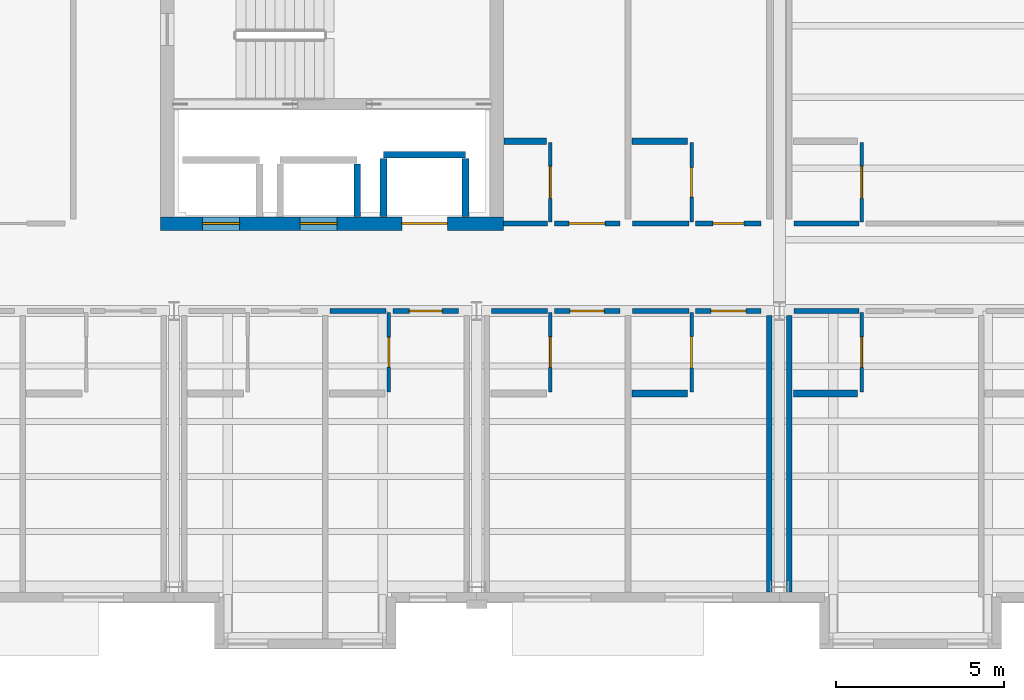
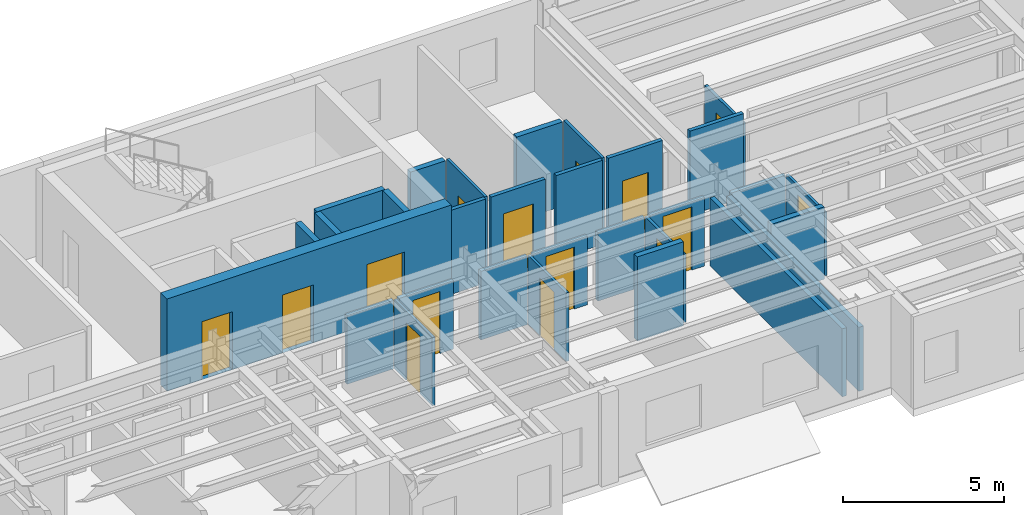
# One storey, part 10 of 19: 30 walls, 15 doors, 15 openings.
"""IFC4 building model written with IfcOpenShell, lengths in metres."""

import ifcopenshell
import ifcopenshell.guid

model = None  # the IFC model being written
_history = None  # IfcOwnerHistory: only IFC2X3 demands one
_inside = {}  # id of a spatial element -> (the spatial element, [elements in it])
_under = {}  # id of a project, library or spatial element -> (it, [spatial elements below it])
_declared = {}  # id of a project -> (the project, [libraries it declares])
_typed = {}  # id of a type object -> (the type object, [elements of that type])
_made_of = {}  # id of a material, layer set ... -> (it, [elements and type objects made of it])


def new_model(schema):
    """Start an empty IFC model of exactly this schema.

    Asked for "IFC4X3", IfcOpenShell would pick the latest addendum, in which some entities
    have other attributes; the version numbers below select the first issue.
    IFC2X3 requires an IfcOwnerHistory on every rooted entity: one is made here for all.
    """
    global model, _history
    if schema == "IFC4X3":
        model = ifcopenshell.file(schema_version=(4, 3, 0, 0))
    else:
        model = ifcopenshell.file(schema=schema)
    _inside.clear()
    _under.clear()
    _declared.clear()
    _typed.clear()
    _made_of.clear()
    _history = None
    if model.schema == "IFC2X3":
        org = make("IfcOrganization", Name="unknown")
        user = make(
            "IfcPersonAndOrganization",
            ThePerson=make("IfcPerson", FamilyName="unknown"),
            TheOrganization=org,
        )
        app = make(
            "IfcApplication",
            ApplicationDeveloper=org,
            Version="unknown",
            ApplicationFullName="unknown",
            ApplicationIdentifier="unknown",
        )
        _history = make(
            "IfcOwnerHistory",
            OwningUser=user,
            OwningApplication=app,
            ChangeAction="ADDED",
            CreationDate=0,
        )
    return model


def make(cls, **values):
    """One entity of the class cls with the attributes given. An attribute that is None is left unset."""
    return model.create_entity(
        cls, **{name: value for name, value in values.items() if value is not None}
    )


def rooted(cls, **values):
    """An entity with a GlobalId (a new one), such as an element, a storey or a relation."""
    return make(cls, GlobalId=ifcopenshell.guid.new(), OwnerHistory=_history, **values)


def si_unit(unit_type, name, prefix=None):
    """IfcSIUnit, for example si_unit("LENGTHUNIT", "METRE", prefix="MILLI")."""
    return make("IfcSIUnit", UnitType=unit_type, Prefix=prefix, Name=name)


def assignment(units):
    """IfcUnitAssignment: the units of a project."""
    return None if units is None else make("IfcUnitAssignment", Units=units)


def point(xyz):
    """IfcCartesianPoint."""
    return None if xyz is None else make("IfcCartesianPoint", Coordinates=xyz)


def direction(xyz):
    """IfcDirection."""
    return None if xyz is None else make("IfcDirection", DirectionRatios=xyz)


def frame(location, z_axis=None, x_axis=None):
    """IfcAxis2Placement3D, a coordinate frame: its origin and axes. An axis left out is left unset."""
    return make(
        "IfcAxis2Placement3D",
        Location=point(location),
        Axis=direction(z_axis),
        RefDirection=direction(x_axis),
    )


def frame_2d(location, x_axis=None):
    """IfcAxis2Placement2D, a coordinate frame in the plane: its origin and x axis."""
    return make(
        "IfcAxis2Placement2D", Location=point(location), RefDirection=direction(x_axis)
    )


def origin():
    """The frame at (0, 0, 0) with its axes left unset."""
    return frame((0.0, 0.0, 0.0))


def place(relative_to, where):
    """IfcLocalPlacement: puts the frame where relative to a parent placement (None: the world)."""
    return make(
        "IfcLocalPlacement", PlacementRelTo=relative_to, RelativePlacement=where
    )


def context(
    kind, dimensions, precision=None, world=None, true_north=None, identifier=None
):
    """IfcGeometricRepresentationContext, for example the 3D "Model" context."""
    return make(
        "IfcGeometricRepresentationContext",
        ContextIdentifier=identifier,
        ContextType=kind,
        CoordinateSpaceDimension=dimensions,
        Precision=precision,
        WorldCoordinateSystem=world,
        TrueNorth=true_north,
    )


def subcontext(parent, identifier, kind, view, scale=None):
    """IfcGeometricRepresentationSubContext, for example "Body" below "Model"."""
    return make(
        "IfcGeometricRepresentationSubContext",
        ContextIdentifier=identifier,
        ContextType=kind,
        ParentContext=parent,
        TargetScale=scale,
        TargetView=view,
    )


def project(units=None, contexts=None):
    """IfcProject with its units and contexts."""
    return rooted(
        "IfcProject",
        Name="project",
        RepresentationContexts=contexts,
        UnitsInContext=assignment(units),
    )


def spatial(cls, under=None, at=None, **own):
    """A site, building, storey or space (cls), placed at a placement, below another one or the project."""
    s = rooted(cls, ObjectPlacement=at, **own)
    if under is not None:
        _under.setdefault(under.id(), (under, []))[1].append(s)
    return s


def profile(cls, at=None, kind="AREA", **sizes):
    """A parametric profile (cls). Its sizes go by their IFC names, for example OverallWidth=200.0."""
    return make(cls, ProfileType=kind, Position=at, **sizes)


def rectangle(**sizes):
    """IfcRectangleProfileDef."""
    return profile("IfcRectangleProfileDef", **sizes)


def extrude(swept, where, along, depth):
    """IfcExtrudedAreaSolid: the profile swept, set in the frame where, extruded along a direction by depth."""
    return make(
        "IfcExtrudedAreaSolid",
        SweptArea=swept,
        Position=where,
        ExtrudedDirection=direction(along),
        Depth=depth,
    )


def shape(context_of_items, identifier, shape_type, items):
    """IfcShapeRepresentation: the items that make up one representation, for example the "Body"."""
    return make(
        "IfcShapeRepresentation",
        ContextOfItems=context_of_items,
        RepresentationIdentifier=identifier,
        RepresentationType=shape_type,
        Items=items,
    )


def material(Name=None, Category=None):
    """IfcMaterial."""
    return make("IfcMaterial", Name=Name, Category=Category)


def layer(
    of_material, thickness, ventilated=None, Name=None, Category=None, Priority=None
):
    """IfcMaterialLayer: one layer of a wall or slab, of a material (None: an air gap)."""
    return make(
        "IfcMaterialLayer",
        Material=of_material,
        LayerThickness=thickness,
        IsVentilated=ventilated,
        Name=Name,
        Category=Category,
        Priority=Priority,
    )


def layer_set(layers, Name=None):
    """IfcMaterialLayerSet."""
    return make("IfcMaterialLayerSet", MaterialLayers=layers, LayerSetName=Name)


def made_of(thing, what):
    """Note that an element or type object is made of a material, layer set ...; save() writes the relation."""
    if what is not None:
        _made_of.setdefault(what.id(), (what, []))[1].append(thing)
    return thing


def type_object(cls, material=None, **own):
    """A type object (cls), such as IfcWallType, which elements share."""
    return made_of(rooted(cls, **own), material)


def element(
    cls,
    number,
    at=None,
    inside=None,
    cuts=None,
    type_object=None,
    material=None,
    context=None,
    identifier="Body",
    shape_type=None,
    held_by="IfcProductDefinitionShape",
    body=None,
    shapes=None,
    **own,
):
    """One element of the class cls, such as IfcWall. Its Tag is "e" and its number.

    at: its placement. inside: the storey or other place that contains it. cuts: it is an
    opening in that element (IfcRelVoidsElement). A single representation is given by context,
    identifier, shape_type and body (its items); several are given by shapes. held_by: the class
    of the entity that holds the representations. save() writes the other relations.
    """
    e = rooted(cls, Tag="e%d" % number, ObjectPlacement=at, **own)
    if body is not None:
        shapes = [shape(context, identifier, shape_type, body)]
    if shapes is not None:
        e.Representation = make(held_by, Representations=shapes)
    if inside is not None:
        _inside.setdefault(inside.id(), (inside, []))[1].append(e)
    if cuts is not None:
        rooted(
            "IfcRelVoidsElement", RelatingBuildingElement=cuts, RelatedOpeningElement=e
        )
    if type_object is not None:
        _typed.setdefault(type_object.id(), (type_object, []))[1].append(e)
    return made_of(e, material)


def fill(opening, filler):
    """IfcRelFillsElement: the door or window that sits in an opening."""
    return rooted(
        "IfcRelFillsElement",
        RelatingOpeningElement=opening,
        RelatedBuildingElement=filler,
    )


def aggregate(whole, parts):
    """IfcRelAggregates: a whole, such as a stair, and the parts it consists of."""
    return rooted("IfcRelAggregates", RelatingObject=whole, RelatedObjects=parts)


def save(model, path):
    """Write the relations noted so far, then the file.

    IfcRelAggregates (storeys below a building ...), IfcRelContainedInSpatialStructure (elements
    in a storey), IfcRelDefinesByType, IfcRelAssociatesMaterial and IfcRelDeclares: one each for
    every whole, place, type object, material and project.
    """
    for whole, parts in _under.values():
        aggregate(whole, parts)
    for where, things in _inside.values():
        rooted(
            "IfcRelContainedInSpatialStructure",
            RelatedElements=things,
            RelatingStructure=where,
        )
    for kind, things in _typed.values():
        rooted("IfcRelDefinesByType", RelatedObjects=things, RelatingType=kind)
    for what, things in _made_of.values():
        rooted("IfcRelAssociatesMaterial", RelatedObjects=things, RelatingMaterial=what)
    for by, libraries in _declared.values():
        rooted("IfcRelDeclares", RelatingContext=by, RelatedDefinitions=libraries)
    model.write(path)


model = new_model("IFC4")

# Units and contexts
model_context = context("Model", 3, precision=1e-05, world=origin(), true_north=direction((0.0, 1.0)))
body_context = subcontext(model_context, "Body", "Model", "MODEL_VIEW")
ifc_project = project(units=[si_unit("LENGTHUNIT", "METRE"), si_unit("AREAUNIT", "SQUARE_METRE"), si_unit("VOLUMEUNIT", "CUBIC_METRE"), si_unit("PLANEANGLEUNIT", "RADIAN"), si_unit("MASSUNIT", "GRAM", prefix="KILO")], contexts=[model_context])

# Site, building, storey
site_placement = place(None, origin())
site = spatial("IfcSite", under=ifc_project, at=site_placement, CompositionType="ELEMENT")
building_placement = place(site_placement, origin())
building = spatial("IfcBuilding", under=site, at=building_placement, Name="Sollismere Congress Hotel", CompositionType="ELEMENT")
storey_placement = place(building_placement, frame((0.0, 0.0, 34.10009765625)))
storey = spatial("IfcBuildingStorey", under=building, at=storey_placement, Name="L08", CompositionType="ELEMENT", Elevation=34.10009765625)

# Walls
ifc_material_1 = material(Name="Moisture-Resistant Shaft Gypsum Assembly")
ifc_layer_1 = layer(ifc_material_1, 0.199951171875, Name="Moisture-Resistant Shaft Gypsum Assembly")
ifc_layer_set_1 = layer_set([ifc_layer_1], Name="Moisture-Resistant Shaft Gypsum Assembly")
wall_type_1 = type_object("IfcWallType", Name="WL-PLM200", PredefinedType="PLUMBINGWALL", material=ifc_layer_set_1)
wall_1_placement = place(storey_placement, frame((99.445068359375, 11.011962890625, 0.0), z_axis=(0.0, 0.0, 1.0), x_axis=(0.0, 1.0, 0.0)))
element("IfcWall", 1, at=wall_1_placement, inside=storey, type_object=wall_type_1, Name="Interior wall IW-L08-0335", PredefinedType="PLUMBINGWALL", context=body_context, shape_type="SweptSolid", body=[
    extrude(rectangle(XDim=1.56591796875, YDim=0.199951171875, at=frame_2d((0.782958984375, 0.0))), origin(), (0.0, 0.0, 1.0), 3.18994140625),
])
wall_2_placement = place(storey_placement, frame((100.22998046875, 12.844970703125, 0.0), z_axis=(0.0, 0.0, 1.0), x_axis=(1.0, 0.0, 0.0)))
element("IfcWall", 2, at=wall_2_placement, inside=storey, type_object=wall_type_1, Name="Interior wall IW-L08-0336", PredefinedType="PLUMBINGWALL", context=body_context, shape_type="SweptSolid", body=[
    extrude(rectangle(XDim=2.43994140625, YDim=0.199951171875, at=frame_2d((1.219970703125, 0.0))), origin(), (0.0, 0.0, 1.0), 3.18994140625),
])
for number, where, z_axis, x_axis, name in (
    (3, (100.22998046875, 11.011962890625, 0.0), (0.0, 0.0, 1.0), (0.0, 1.0, 0.0), "Interior wall IW-L08-0337"),
    (4, (102.669921875, 11.011962890625, 0.0), (0.0, 0.0, 1.0), (0.0, 1.0, 0.0), "Interior wall IW-L08-0338"),
):
    element("IfcWall", number, at=place(storey_placement, frame(where, z_axis=z_axis, x_axis=x_axis)), inside=storey, type_object=wall_type_1, Name=name, PredefinedType="PLUMBINGWALL", context=body_context, shape_type="SweptSolid", body=[
        extrude(rectangle(XDim=1.720947265625, YDim=0.199951171875, at=frame_2d((0.8603515625, 0.0))), origin(), (0.0, 0.0, 1.0), 3.18994140625),
    ])
wall_3_placement = place(storey_placement, frame((107.6201171875, 5.75, 0.0), z_axis=(0.0, 0.0, 1.0), x_axis=(1.0, 0.0, 0.0)))
element("IfcWall", 5, at=wall_3_placement, inside=storey, type_object=wall_type_1, Name="Interior wall IW-L08-2473", PredefinedType="PLUMBINGWALL", context=body_context, shape_type="SweptSolid", body=[
    extrude(rectangle(XDim=1.64990234375, YDim=0.199951171875, at=frame_2d((0.824951171875, 0.0))), origin(), (0.0, 0.0, 1.0), 3.18994140625),
])
wall_4_placement = place(storey_placement, frame((103.81201171875, 13.25, 0.0), z_axis=(0.0, 0.0, 1.0), x_axis=(1.0, 0.0, 0.0)))
element("IfcWall", 6, at=wall_4_placement, inside=storey, type_object=wall_type_1, Name="Interior wall IW-L08-2478", PredefinedType="PLUMBINGWALL", context=body_context, shape_type="SweptSolid", body=[
    extrude(rectangle(XDim=1.258056640625, YDim=0.199951171875, at=frame_2d((0.62890625, 0.0))), origin(), (0.0, 0.0, 1.0), 3.18994140625),
])
wall_5_placement = place(storey_placement, frame((107.6201171875, 13.25, 0.0), z_axis=(0.0, 0.0, 1.0), x_axis=(1.0, 0.0, 0.0)))
element("IfcWall", 7, at=wall_5_placement, inside=storey, type_object=wall_type_1, Name="Interior wall IW-L08-2483", PredefinedType="PLUMBINGWALL", context=body_context, shape_type="SweptSolid", body=[
    extrude(rectangle(XDim=1.64990234375, YDim=0.199951171875, at=frame_2d((0.824951171875, 0.0))), origin(), (0.0, 0.0, 1.0), 3.18994140625),
])
wall_6_placement = place(storey_placement, frame((112.419921875, 5.75, 0.0), z_axis=(0.0, 0.0, 1.0), x_axis=(1.0, 0.0, 0.0)))
element("IfcWall", 8, at=wall_6_placement, inside=storey, type_object=wall_type_1, Name="Interior wall IW-L08-2489", PredefinedType="PLUMBINGWALL", context=body_context, shape_type="SweptSolid", body=[
    extrude(rectangle(XDim=1.91015625, YDim=0.199951171875, at=frame_2d((0.955078125, 0.0))), origin(), (0.0, 0.0, 1.0), 2.742919921875),
])

# Wall, opening, door
ifc_material_2 = material(Name="Moisture-Resistant Gypsum Partition")
ifc_layer_2 = layer(ifc_material_2, 0.10009765625, Name="Moisture-Resistant Gypsum Partition")
ifc_layer_set_2 = layer_set([ifc_layer_2], Name="Moisture-Resistant Gypsum Partition")
wall_type_2 = type_object("IfcWallType", Name="WL-PRT100", PredefinedType="PARTITIONING", material=ifc_layer_set_2)
wall_7_placement = place(storey_placement, frame((100.389892578125, 5.7900390625, 0.0), z_axis=(0.0, 0.0, 1.0), x_axis=(0.0, 1.0, 0.0)))
wall_7 = element("IfcWall", 9, at=wall_7_placement, inside=storey, type_object=wall_type_2, Name="Interior wall IW-L08-2461", PredefinedType="PARTITIONING", context=body_context, shape_type="SweptSolid", body=[
    extrude(rectangle(XDim=2.369873046875, YDim=0.10009765625, at=frame_2d((1.18505859375, 0.0))), origin(), (0.0, 0.0, 1.0), 2.602783203125),
])
opening_1_placement = place(wall_7_placement, frame((0.7451171875, 0.0, 0.0)))
opening_1 = element("IfcOpeningElement", 10, at=opening_1_placement, cuts=wall_7, Name="Opening D-L08-0869", PredefinedType="OPENING", context=body_context, shape_type="SweptSolid", body=[
    extrude(rectangle(XDim=0.8798828125, YDim=2.179931640625, at=frame_2d((0.43994140625, 1.08984375))), frame((0.0, 0.06005859375, 0.0), z_axis=(0.0, -1.0, 0.0), x_axis=(1.0, 0.0, 0.0)), (0.0, 0.0, 1.0), 0.1201171875),
])
ifc_material_3 = material(Name="Moisture-Sealed Timber Bathroom Door", Category="wood")
door_type_1 = type_object("IfcDoorType", Name="DR-BT05", OperationType="NOTDEFINED", PredefinedType="DOOR", material=ifc_material_3)
door_1_placement = place(opening_1_placement, origin())
door_1 = element("IfcDoor", 11, at=door_1_placement, inside=storey, type_object=door_type_1, Name="En-suite bathroom door D-L08-0869", OperationType="SINGLE_SWING_RIGHT", OverallHeight=2.179931640625, OverallWidth=0.8798828125, PredefinedType="DOOR", context=body_context, shape_type="SweptSolid", body=[
    extrude(rectangle(XDim=0.8798828125, YDim=2.179931640625, at=frame_2d((0.43994140625, 1.08984375))), frame((0.0, 0.02490234375, 0.0), z_axis=(0.0, -1.0, 0.0), x_axis=(1.0, 0.0, 0.0)), (0.0, 0.0, 1.0), 0.050048828125),
])
fill(opening_1, door_1)

wall_8_placement = place(storey_placement, frame((105.18994140625, 5.7900390625, 0.0), z_axis=(0.0, 0.0, 1.0), x_axis=(0.0, 1.0, 0.0)))
wall_8 = element("IfcWall", 12, at=wall_8_placement, inside=storey, type_object=wall_type_2, Name="Interior wall IW-L08-2467", PredefinedType="PARTITIONING", context=body_context, shape_type="SweptSolid", body=[
    extrude(rectangle(XDim=2.369873046875, YDim=0.10009765625, at=frame_2d((1.18505859375, 0.0))), origin(), (0.0, 0.0, 1.0), 2.602783203125),
])
opening_2_placement = place(wall_8_placement, frame((0.73291015625, 0.0, 0.0)))
opening_2 = element("IfcOpeningElement", 13, at=opening_2_placement, cuts=wall_8, Name="Opening D-L08-0871", PredefinedType="OPENING", context=body_context, shape_type="SweptSolid", body=[
    extrude(rectangle(XDim=0.905029296875, YDim=2.179931640625, at=frame_2d((0.45263671875, 1.08984375))), frame((0.0, 0.06005859375, 0.0), z_axis=(0.0, -1.0, 0.0), x_axis=(1.0, 0.0, 0.0)), (0.0, 0.0, 1.0), 0.1201171875),
])
door_type_2 = type_object("IfcDoorType", Name="DR-BT06", OperationType="NOTDEFINED", PredefinedType="DOOR", material=ifc_material_3)
door_2_placement = place(opening_2_placement, origin())
door_2 = element("IfcDoor", 14, at=door_2_placement, inside=storey, type_object=door_type_2, Name="En-suite bathroom door D-L08-0871", OperationType="SINGLE_SWING_RIGHT", OverallHeight=2.179931640625, OverallWidth=0.905029296875, PredefinedType="DOOR", context=body_context, shape_type="SweptSolid", body=[
    extrude(rectangle(XDim=0.905029296875, YDim=2.179931640625, at=frame_2d((0.45263671875, 1.08984375))), frame((0.0, 0.02490234375, 0.0), z_axis=(0.0, -1.0, 0.0), x_axis=(1.0, 0.0, 0.0)), (0.0, 0.0, 1.0), 0.050048828125),
])
fill(opening_2, door_2)

wall_9_placement = place(storey_placement, frame((109.389892578125, 5.7900390625, 0.0), z_axis=(0.0, 0.0, 1.0), x_axis=(0.0, 1.0, 0.0)))
wall_9 = element("IfcWall", 15, at=wall_9_placement, inside=storey, type_object=wall_type_2, Name="Interior wall IW-L08-2472", PredefinedType="PARTITIONING", context=body_context, shape_type="SweptSolid", body=[
    extrude(rectangle(XDim=2.369873046875, YDim=0.10009765625, at=frame_2d((1.18505859375, 0.0))), origin(), (0.0, 0.0, 1.0), 2.602783203125),
])
opening_3_placement = place(wall_9_placement, frame((0.719970703125, 0.0, 0.0)))
opening_3 = element("IfcOpeningElement", 16, at=opening_3_placement, cuts=wall_9, Name="Opening D-L08-0873", PredefinedType="OPENING", context=body_context, shape_type="SweptSolid", body=[
    extrude(rectangle(XDim=0.929931640625, YDim=2.219970703125, at=frame_2d((0.46484375, 1.10986328125))), frame((0.0, 0.06005859375, 0.0), z_axis=(0.0, -1.0, 0.0), x_axis=(1.0, 0.0, 0.0)), (0.0, 0.0, 1.0), 0.1201171875),
])
door_type_3 = type_object("IfcDoorType", Name="DR-BT07", OperationType="NOTDEFINED", PredefinedType="DOOR", material=ifc_material_3)
door_3_placement = place(opening_3_placement, origin())
door_3 = element("IfcDoor", 17, at=door_3_placement, inside=storey, type_object=door_type_3, Name="En-suite bathroom door D-L08-0873", OperationType="SINGLE_SWING_RIGHT", OverallHeight=2.219970703125, OverallWidth=0.929931640625, PredefinedType="DOOR", context=body_context, shape_type="SweptSolid", body=[
    extrude(rectangle(XDim=0.929931640625, YDim=2.219970703125, at=frame_2d((0.46484375, 1.10986328125))), frame((0.0, 0.02490234375, 0.0), z_axis=(0.0, -1.0, 0.0), x_axis=(1.0, 0.0, 0.0)), (0.0, 0.0, 1.0), 0.050048828125),
])
fill(opening_3, door_3)

wall_10_placement = place(storey_placement, frame((105.18994140625, 10.840087890625, 0.0), z_axis=(0.0, 0.0, 1.0), x_axis=(0.0, 1.0, 0.0)))
wall_10 = element("IfcWall", 18, at=wall_10_placement, inside=storey, type_object=wall_type_2, Name="Interior wall IW-L08-2477", PredefinedType="PARTITIONING", context=body_context, shape_type="SweptSolid", body=[
    extrude(rectangle(XDim=2.369873046875, YDim=0.10009765625, at=frame_2d((1.18505859375, 0.0))), origin(), (0.0, 0.0, 1.0), 3.18994140625),
])
opening_4_placement = place(wall_10_placement, frame((0.7080078125, 0.0, 0.0)))
opening_4 = element("IfcOpeningElement", 19, at=opening_4_placement, cuts=wall_10, Name="Opening D-L08-0875", PredefinedType="OPENING", context=body_context, shape_type="SweptSolid", body=[
    extrude(rectangle(XDim=0.955078125, YDim=2.219970703125, at=frame_2d((0.4775390625, 1.10986328125))), frame((0.0, 0.06005859375, 0.0), z_axis=(0.0, -1.0, 0.0), x_axis=(1.0, 0.0, 0.0)), (0.0, 0.0, 1.0), 0.1201171875),
])
door_type_4 = type_object("IfcDoorType", Name="DR-BT08", OperationType="NOTDEFINED", PredefinedType="DOOR", material=ifc_material_3)
door_4_placement = place(opening_4_placement, origin())
door_4 = element("IfcDoor", 20, at=door_4_placement, inside=storey, type_object=door_type_4, Name="En-suite bathroom door D-L08-0875", OperationType="SINGLE_SWING_RIGHT", OverallHeight=2.219970703125, OverallWidth=0.955078125, PredefinedType="DOOR", context=body_context, shape_type="SweptSolid", body=[
    extrude(rectangle(XDim=0.955078125, YDim=2.219970703125, at=frame_2d((0.4775390625, 1.10986328125))), frame((0.0, 0.02490234375, 0.0), z_axis=(0.0, -1.0, 0.0), x_axis=(1.0, 0.0, 0.0)), (0.0, 0.0, 1.0), 0.050048828125),
])
fill(opening_4, door_4)

wall_11_placement = place(storey_placement, frame((109.389892578125, 10.840087890625, 0.0), z_axis=(0.0, 0.0, 1.0), x_axis=(0.0, 1.0, 0.0)))
wall_11 = element("IfcWall", 21, at=wall_11_placement, inside=storey, type_object=wall_type_2, Name="Interior wall IW-L08-2482", PredefinedType="PARTITIONING", context=body_context, shape_type="SweptSolid", body=[
    extrude(rectangle(XDim=2.369873046875, YDim=0.10009765625, at=frame_2d((1.18505859375, 0.0))), origin(), (0.0, 0.0, 1.0), 3.18994140625),
])
opening_5_placement = place(wall_11_placement, frame((0.7451171875, 0.0, 0.0)))
opening_5 = element("IfcOpeningElement", 22, at=opening_5_placement, cuts=wall_11, Name="Opening D-L08-0877", PredefinedType="OPENING", context=body_context, shape_type="SweptSolid", body=[
    extrude(rectangle(XDim=0.8798828125, YDim=2.10009765625, at=frame_2d((0.43994140625, 1.050048828125))), frame((0.0, 0.06005859375, 0.0), z_axis=(0.0, -1.0, 0.0), x_axis=(1.0, 0.0, 0.0)), (0.0, 0.0, 1.0), 0.1201171875),
])
door_type_5 = type_object("IfcDoorType", Name="DR-BT01", OperationType="NOTDEFINED", PredefinedType="DOOR", material=ifc_material_3)
door_5_placement = place(opening_5_placement, origin())
door_5 = element("IfcDoor", 23, at=door_5_placement, inside=storey, type_object=door_type_5, Name="En-suite bathroom door D-L08-0877", OperationType="SINGLE_SWING_RIGHT", OverallHeight=2.10009765625, OverallWidth=0.8798828125, PredefinedType="DOOR", context=body_context, shape_type="SweptSolid", body=[
    extrude(rectangle(XDim=0.8798828125, YDim=2.10009765625, at=frame_2d((0.43994140625, 1.050048828125))), frame((0.0, 0.02490234375, 0.0), z_axis=(0.0, -1.0, 0.0), x_axis=(1.0, 0.0, 0.0)), (0.0, 0.0, 1.0), 0.050048828125),
])
fill(opening_5, door_5)

wall_12_placement = place(storey_placement, frame((114.449951171875, 5.7900390625, 0.0), z_axis=(0.0, 0.0, 1.0), x_axis=(0.0, 1.0, 0.0)))
wall_12 = element("IfcWall", 24, at=wall_12_placement, inside=storey, type_object=wall_type_2, Name="Interior wall IW-L08-2488", PredefinedType="PARTITIONING", context=body_context, shape_type="SweptSolid", body=[
    extrude(rectangle(XDim=2.369873046875, YDim=0.10009765625, at=frame_2d((1.18505859375, 0.0))), origin(), (0.0, 0.0, 1.0), 2.427978515625),
])
opening_6_placement = place(wall_12_placement, frame((0.73291015625, 0.0, 0.0)))
opening_6 = element("IfcOpeningElement", 25, at=opening_6_placement, cuts=wall_12, Name="Opening D-L08-0879", PredefinedType="OPENING", context=body_context, shape_type="SweptSolid", body=[
    extrude(rectangle(XDim=0.905029296875, YDim=2.10009765625, at=frame_2d((0.45263671875, 1.050048828125))), frame((0.0, 0.06005859375, 0.0), z_axis=(0.0, -1.0, 0.0), x_axis=(1.0, 0.0, 0.0)), (0.0, 0.0, 1.0), 0.1201171875),
])
door_type_6 = type_object("IfcDoorType", Name="DR-BT02", OperationType="NOTDEFINED", PredefinedType="DOOR", material=ifc_material_3)
door_6_placement = place(opening_6_placement, origin())
door_6 = element("IfcDoor", 26, at=door_6_placement, inside=storey, type_object=door_type_6, Name="En-suite bathroom door D-L08-0879", OperationType="SINGLE_SWING_RIGHT", OverallHeight=2.10009765625, OverallWidth=0.905029296875, PredefinedType="DOOR", context=body_context, shape_type="SweptSolid", body=[
    extrude(rectangle(XDim=0.905029296875, YDim=2.10009765625, at=frame_2d((0.45263671875, 1.050048828125))), frame((0.0, 0.02490234375, 0.0), z_axis=(0.0, -1.0, 0.0), x_axis=(1.0, 0.0, 0.0)), (0.0, 0.0, 1.0), 0.050048828125),
])
fill(opening_6, door_6)

wall_13_placement = place(storey_placement, frame((114.449951171875, 10.840087890625, 0.0), z_axis=(0.0, 0.0, 1.0), x_axis=(0.0, 1.0, 0.0)))
wall_13 = element("IfcWall", 27, at=wall_13_placement, inside=storey, type_object=wall_type_2, Name="Interior wall IW-L08-2499", PredefinedType="PARTITIONING", context=body_context, shape_type="SweptSolid", body=[
    extrude(rectangle(XDim=2.369873046875, YDim=0.10009765625, at=frame_2d((1.18505859375, 0.0))), origin(), (0.0, 0.0, 1.0), 2.747802734375),
])
opening_7_placement = place(wall_13_placement, frame((0.7080078125, 0.0, 0.0)))
opening_7 = element("IfcOpeningElement", 28, at=opening_7_placement, cuts=wall_13, Name="Opening D-L08-0883", PredefinedType="OPENING", context=body_context, shape_type="SweptSolid", body=[
    extrude(rectangle(XDim=0.955078125, YDim=2.139892578125, at=frame_2d((0.4775390625, 1.06982421875))), frame((0.0, 0.06005859375, 0.0), z_axis=(0.0, -1.0, 0.0), x_axis=(1.0, 0.0, 0.0)), (0.0, 0.0, 1.0), 0.1201171875),
])
door_type_7 = type_object("IfcDoorType", Name="DR-BT04", OperationType="NOTDEFINED", PredefinedType="DOOR", material=ifc_material_3)
door_7_placement = place(opening_7_placement, origin())
door_7 = element("IfcDoor", 29, at=door_7_placement, inside=storey, type_object=door_type_7, Name="En-suite bathroom door D-L08-0883", OperationType="SINGLE_SWING_RIGHT", OverallHeight=2.139892578125, OverallWidth=0.955078125, PredefinedType="DOOR", context=body_context, shape_type="SweptSolid", body=[
    extrude(rectangle(XDim=0.955078125, YDim=2.139892578125, at=frame_2d((0.4775390625, 1.06982421875))), frame((0.0, 0.02490234375, 0.0), z_axis=(0.0, -1.0, 0.0), x_axis=(1.0, 0.0, 0.0)), (0.0, 0.0, 1.0), 0.050048828125),
])
fill(opening_7, door_7)

# Wall
ifc_material_4 = material(Name="Fire-Rated Gypsum Partition")
ifc_layer_3 = layer(ifc_material_4, 0.139892578125, Name="Fire-Rated Gypsum Partition")
ifc_layer_set_3 = layer_set([ifc_layer_3], Name="Fire-Rated Gypsum Partition")
wall_type_3 = type_object("IfcWallType", Name="WL-PRT140R", PredefinedType="PARTITIONING", material=ifc_layer_set_3)
wall_14_placement = place(storey_placement, frame((98.639892578125, 8.199951171875, 0.0), z_axis=(0.0, 0.0, 1.0), x_axis=(1.0, 0.0, 0.0)))
element("IfcWall", 30, at=wall_14_placement, inside=storey, type_object=wall_type_3, Name="Interior wall IW-L08-2458", PredefinedType="PARTITIONING", context=body_context, shape_type="SweptSolid", body=[
    extrude(rectangle(XDim=1.670166015625, YDim=0.139892578125, at=frame_2d((0.8349609375, 0.0))), origin(), (0.0, 0.0, 1.0), 2.602783203125),
])

# Wall, opening, door
wall_15_placement = place(storey_placement, frame((100.510009765625, 8.199951171875, 0.0), z_axis=(0.0, 0.0, 1.0), x_axis=(1.0, 0.0, 0.0)))
wall_15 = element("IfcWall", 31, at=wall_15_placement, inside=storey, type_object=wall_type_3, Name="Interior wall IW-L08-2459", PredefinedType="PARTITIONING", context=body_context, shape_type="SweptSolid", body=[
    extrude(rectangle(XDim=1.949951171875, YDim=0.139892578125, at=frame_2d((0.97509765625, 0.0))), origin(), (0.0, 0.0, 1.0), 2.602783203125),
])
opening_8_placement = place(wall_15_placement, frame((0.485107421875, 0.0, 0.0)))
opening_8 = element("IfcOpeningElement", 32, at=opening_8_placement, cuts=wall_15, Name="Opening D-L08-0868", PredefinedType="OPENING", context=body_context, shape_type="SweptSolid", body=[
    extrude(rectangle(XDim=0.97998046875, YDim=2.35009765625, at=frame_2d((0.489990234375, 1.175048828125))), frame((0.0, 0.079833984375, 0.0), z_axis=(0.0, -1.0, 0.0), x_axis=(1.0, 0.0, 0.0)), (0.0, 0.0, 1.0), 0.159912109375),
])
ifc_material_5 = material(Name="Solid-Core Acoustic Walnut Guestroom Entry Door")
door_type_8 = type_object("IfcDoorType", Name="DR-KY09", OperationType="NOTDEFINED", PredefinedType="DOOR", material=ifc_material_5)
door_8_placement = place(opening_8_placement, origin())
door_8 = element("IfcDoor", 33, at=door_8_placement, inside=storey, type_object=door_type_8, Name="Hotel room entry door D-L08-0868", OperationType="SINGLE_SWING_LEFT", OverallHeight=2.35009765625, OverallWidth=0.97998046875, PredefinedType="DOOR", context=body_context, shape_type="SweptSolid", body=[
    extrude(rectangle(XDim=0.97998046875, YDim=2.35009765625, at=frame_2d((0.489990234375, 1.175048828125))), frame((0.0, 0.02490234375, 0.0), z_axis=(0.0, -1.0, 0.0), x_axis=(1.0, 0.0, 0.0)), (0.0, 0.0, 1.0), 0.050048828125),
])
fill(opening_8, door_8)

# Wall
wall_16_placement = place(storey_placement, frame((103.43994140625, 8.199951171875, 0.0), z_axis=(0.0, 0.0, 1.0), x_axis=(1.0, 0.0, 0.0)))
element("IfcWall", 34, at=wall_16_placement, inside=storey, type_object=wall_type_3, Name="Interior wall IW-L08-2463", PredefinedType="PARTITIONING", context=body_context, shape_type="SweptSolid", body=[
    extrude(rectangle(XDim=1.670166015625, YDim=0.139892578125, at=frame_2d((0.8349609375, 0.0))), origin(), (0.0, 0.0, 1.0), 2.602783203125),
])

# Wall, opening, door
wall_17_placement = place(storey_placement, frame((105.31005859375, 8.199951171875, 0.0), z_axis=(0.0, 0.0, 1.0), x_axis=(1.0, 0.0, 0.0)))
wall_17 = element("IfcWall", 35, at=wall_17_placement, inside=storey, type_object=wall_type_3, Name="Interior wall IW-L08-2464", PredefinedType="PARTITIONING", context=body_context, shape_type="SweptSolid", body=[
    extrude(rectangle(XDim=1.949951171875, YDim=0.139892578125, at=frame_2d((0.97509765625, 0.0))), origin(), (0.0, 0.0, 1.0), 2.602783203125),
])
opening_9_placement = place(wall_17_placement, frame((0.469970703125, 0.0, 0.0)))
opening_9 = element("IfcOpeningElement", 36, at=opening_9_placement, cuts=wall_17, Name="Opening D-L08-0870", PredefinedType="OPENING", context=body_context, shape_type="SweptSolid", body=[
    extrude(rectangle(XDim=1.010009765625, YDim=2.35009765625, at=frame_2d((0.5048828125, 1.175048828125))), frame((0.0, 0.079833984375, 0.0), z_axis=(0.0, -1.0, 0.0), x_axis=(1.0, 0.0, 0.0)), (0.0, 0.0, 1.0), 0.159912109375),
])
door_type_9 = type_object("IfcDoorType", Name="DR-KY10", OperationType="NOTDEFINED", PredefinedType="DOOR", material=ifc_material_5)
door_9_placement = place(opening_9_placement, origin())
door_9 = element("IfcDoor", 37, at=door_9_placement, inside=storey, type_object=door_type_9, Name="Hotel room entry door D-L08-0870", OperationType="SINGLE_SWING_LEFT", OverallHeight=2.35009765625, OverallWidth=1.010009765625, PredefinedType="DOOR", context=body_context, shape_type="SweptSolid", body=[
    extrude(rectangle(XDim=1.010009765625, YDim=2.35009765625, at=frame_2d((0.5048828125, 1.175048828125))), frame((0.0, 0.02490234375, 0.0), z_axis=(0.0, -1.0, 0.0), x_axis=(1.0, 0.0, 0.0)), (0.0, 0.0, 1.0), 0.050048828125),
])
fill(opening_9, door_9)

# Wall
wall_18_placement = place(storey_placement, frame((107.639892578125, 8.199951171875, 0.0), z_axis=(0.0, 0.0, 1.0), x_axis=(1.0, 0.0, 0.0)))
element("IfcWall", 38, at=wall_18_placement, inside=storey, type_object=wall_type_3, Name="Interior wall IW-L08-2469", PredefinedType="PARTITIONING", context=body_context, shape_type="SweptSolid", body=[
    extrude(rectangle(XDim=1.670166015625, YDim=0.139892578125, at=frame_2d((0.8349609375, 0.0))), origin(), (0.0, 0.0, 1.0), 2.602783203125),
])

# Wall, opening, door
wall_19_placement = place(storey_placement, frame((109.510009765625, 8.199951171875, 0.0), z_axis=(0.0, 0.0, 1.0), x_axis=(1.0, 0.0, 0.0)))
wall_19 = element("IfcWall", 39, at=wall_19_placement, inside=storey, type_object=wall_type_3, Name="Interior wall IW-L08-2470", PredefinedType="PARTITIONING", context=body_context, shape_type="SweptSolid", body=[
    extrude(rectangle(XDim=1.949951171875, YDim=0.139892578125, at=frame_2d((0.97509765625, 0.0))), origin(), (0.0, 0.0, 1.0), 2.602783203125),
])
opening_10_placement = place(wall_19_placement, frame((0.455078125, 0.0, 0.0)))
opening_10 = element("IfcOpeningElement", 40, at=opening_10_placement, cuts=wall_19, Name="Opening D-L08-0872", PredefinedType="OPENING", context=body_context, shape_type="SweptSolid", body=[
    extrude(rectangle(XDim=1.0400390625, YDim=2.39990234375, at=frame_2d((0.52001953125, 1.199951171875))), frame((0.0, 0.079833984375, 0.0), z_axis=(0.0, -1.0, 0.0), x_axis=(1.0, 0.0, 0.0)), (0.0, 0.0, 1.0), 0.159912109375),
])
door_type_10 = type_object("IfcDoorType", Name="DR-KY11", OperationType="NOTDEFINED", PredefinedType="DOOR", material=ifc_material_5)
door_10_placement = place(opening_10_placement, origin())
door_10 = element("IfcDoor", 41, at=door_10_placement, inside=storey, type_object=door_type_10, Name="Hotel room entry door D-L08-0872", OperationType="SINGLE_SWING_LEFT", OverallHeight=2.39990234375, OverallWidth=1.0400390625, PredefinedType="DOOR", context=body_context, shape_type="SweptSolid", body=[
    extrude(rectangle(XDim=1.0400390625, YDim=2.39990234375, at=frame_2d((0.52001953125, 1.199951171875))), frame((0.0, 0.02490234375, 0.0), z_axis=(0.0, -1.0, 0.0), x_axis=(1.0, 0.0, 0.0)), (0.0, 0.0, 1.0), 0.050048828125),
])
fill(opening_10, door_10)

# Wall
wall_20_placement = place(storey_placement, frame((103.800048828125, 10.800048828125, 0.0), z_axis=(0.0, 0.0, 1.0), x_axis=(1.0, 0.0, 0.0)))
element("IfcWall", 42, at=wall_20_placement, inside=storey, type_object=wall_type_3, Name="Interior wall IW-L08-2474", PredefinedType="PARTITIONING", context=body_context, shape_type="SweptSolid", body=[
    extrude(rectangle(XDim=1.31005859375, YDim=0.139892578125, at=frame_2d((0.655029296875, 0.0))), origin(), (0.0, 0.0, 1.0), 3.18994140625),
])

# Wall, opening, door
wall_21_placement = place(storey_placement, frame((105.31005859375, 10.800048828125, 0.0), z_axis=(0.0, 0.0, 1.0), x_axis=(1.0, 0.0, 0.0)))
wall_21 = element("IfcWall", 43, at=wall_21_placement, inside=storey, type_object=wall_type_3, Name="Interior wall IW-L08-2475", PredefinedType="PARTITIONING", context=body_context, shape_type="SweptSolid", body=[
    extrude(rectangle(XDim=1.949951171875, YDim=0.139892578125, at=frame_2d((0.97509765625, 0.0))), origin(), (0.0, 0.0, 1.0), 3.18994140625),
])
opening_11_placement = place(wall_21_placement, frame((0.43994140625, 0.0, 0.0)))
opening_11 = element("IfcOpeningElement", 44, at=opening_11_placement, cuts=wall_21, Name="Opening D-L08-0874", PredefinedType="OPENING", context=body_context, shape_type="SweptSolid", body=[
    extrude(rectangle(XDim=1.070068359375, YDim=2.39990234375, at=frame_2d((0.53515625, 1.199951171875))), frame((0.0, 0.079833984375, 0.0), z_axis=(0.0, -1.0, 0.0), x_axis=(1.0, 0.0, 0.0)), (0.0, 0.0, 1.0), 0.159912109375),
])
door_type_11 = type_object("IfcDoorType", Name="DR-KY12", OperationType="NOTDEFINED", PredefinedType="DOOR", material=ifc_material_5)
door_11_placement = place(opening_11_placement, origin())
door_11 = element("IfcDoor", 45, at=door_11_placement, inside=storey, type_object=door_type_11, Name="Hotel room entry door D-L08-0874", OperationType="SINGLE_SWING_LEFT", OverallHeight=2.39990234375, OverallWidth=1.070068359375, PredefinedType="DOOR", context=body_context, shape_type="SweptSolid", body=[
    extrude(rectangle(XDim=1.070068359375, YDim=2.39990234375, at=frame_2d((0.53515625, 1.199951171875))), frame((0.0, 0.02490234375, 0.0), z_axis=(0.0, -1.0, 0.0), x_axis=(1.0, 0.0, 0.0)), (0.0, 0.0, 1.0), 0.050048828125),
])
fill(opening_11, door_11)

# Wall
wall_22_placement = place(storey_placement, frame((107.639892578125, 10.800048828125, 0.0), z_axis=(0.0, 0.0, 1.0), x_axis=(1.0, 0.0, 0.0)))
element("IfcWall", 46, at=wall_22_placement, inside=storey, type_object=wall_type_3, Name="Interior wall IW-L08-2479", PredefinedType="PARTITIONING", context=body_context, shape_type="SweptSolid", body=[
    extrude(rectangle(XDim=1.670166015625, YDim=0.139892578125, at=frame_2d((0.8349609375, 0.0))), origin(), (0.0, 0.0, 1.0), 3.18994140625),
])

# Wall, opening, door
wall_23_placement = place(storey_placement, frame((109.510009765625, 10.800048828125, 0.0), z_axis=(0.0, 0.0, 1.0), x_axis=(1.0, 0.0, 0.0)))
wall_23 = element("IfcWall", 47, at=wall_23_placement, inside=storey, type_object=wall_type_3, Name="Interior wall IW-L08-2480", PredefinedType="PARTITIONING", context=body_context, shape_type="SweptSolid", body=[
    extrude(rectangle(XDim=1.949951171875, YDim=0.139892578125, at=frame_2d((0.97509765625, 0.0))), origin(), (0.0, 0.0, 1.0), 3.18994140625),
])
opening_12_placement = place(wall_23_placement, frame((0.514892578125, 0.0, 0.0)))
opening_12 = element("IfcOpeningElement", 48, at=opening_12_placement, cuts=wall_23, Name="Opening D-L08-0876", PredefinedType="OPENING", context=body_context, shape_type="SweptSolid", body=[
    extrude(rectangle(XDim=0.919921875, YDim=2.14990234375, at=frame_2d((0.4599609375, 1.074951171875))), frame((0.0, 0.079833984375, 0.0), z_axis=(0.0, -1.0, 0.0), x_axis=(1.0, 0.0, 0.0)), (0.0, 0.0, 1.0), 0.159912109375),
])
door_type_12 = type_object("IfcDoorType", Name="DR-KY01", OperationType="NOTDEFINED", PredefinedType="DOOR", material=ifc_material_5)
door_12_placement = place(opening_12_placement, origin())
door_12 = element("IfcDoor", 49, at=door_12_placement, inside=storey, type_object=door_type_12, Name="Hotel room entry door D-L08-0876", OperationType="SINGLE_SWING_LEFT", OverallHeight=2.14990234375, OverallWidth=0.919921875, PredefinedType="DOOR", context=body_context, shape_type="SweptSolid", body=[
    extrude(rectangle(XDim=0.919921875, YDim=2.14990234375, at=frame_2d((0.4599609375, 1.074951171875))), frame((0.0, 0.02490234375, 0.0), z_axis=(0.0, -1.0, 0.0), x_axis=(1.0, 0.0, 0.0)), (0.0, 0.0, 1.0), 0.050048828125),
])
fill(opening_12, door_12)

# Walls
wall_24_placement = place(storey_placement, frame((112.43994140625, 8.199951171875, 0.0), z_axis=(0.0, 0.0, 1.0), x_axis=(1.0, 0.0, 0.0)))
element("IfcWall", 50, at=wall_24_placement, inside=storey, type_object=wall_type_3, Name="Interior wall IW-L08-2484", PredefinedType="PARTITIONING", context=body_context, shape_type="SweptSolid", body=[
    extrude(rectangle(XDim=1.93017578125, YDim=0.139892578125, at=frame_2d((0.965087890625, 0.0))), origin(), (0.0, 0.0, 1.0), 2.427978515625),
])
wall_25_placement = place(storey_placement, frame((112.43994140625, 10.800048828125, 0.0), z_axis=(0.0, 0.0, 1.0), x_axis=(1.0, 0.0, 0.0)))
element("IfcWall", 51, at=wall_25_placement, inside=storey, type_object=wall_type_3, Name="Interior wall IW-L08-2495", PredefinedType="PARTITIONING", context=body_context, shape_type="SweptSolid", body=[
    extrude(rectangle(XDim=1.93017578125, YDim=0.139892578125, at=frame_2d((0.965087890625, 0.0))), origin(), (0.0, 0.0, 1.0), 3.18994140625),
])
ifc_material_6 = material(Name="Fire-Rated Acoustic Gypsum Partition")
ifc_layer_4 = layer(ifc_material_6, 0.1650390625, Name="Fire-Rated Acoustic Gypsum Partition")
ifc_layer_set_4 = layer_set([ifc_layer_4], Name="Fire-Rated Acoustic Gypsum Partition")
wall_type_4 = type_object("IfcWallType", Name="WL-PRT165R", PredefinedType="PARTITIONING", material=ifc_layer_set_4)
wall_26_placement = place(storey_placement, frame((111.699951171875, -0.152587890625, 0.0), z_axis=(0.0, 0.0, 1.0), x_axis=(0.0, 1.0, 0.0)))
element("IfcWall", 52, at=wall_26_placement, inside=storey, type_object=wall_type_4, Name="Interior wall IW-L08-2471", PredefinedType="PARTITIONING", context=body_context, shape_type="SweptSolid", body=[
    extrude(rectangle(XDim=8.212646484375, YDim=0.1650390625, at=frame_2d((4.1064453125, 0.0))), origin(), (0.0, 0.0, 1.0), 2.579833984375),
])
wall_27_placement = place(storey_placement, frame((112.300048828125, -0.152587890625, 0.0), z_axis=(0.0, 0.0, 1.0), x_axis=(0.0, 1.0, 0.0)))
element("IfcWall", 53, at=wall_27_placement, inside=storey, type_object=wall_type_4, Name="Interior wall IW-L08-2486", PredefinedType="PARTITIONING", context=body_context, shape_type="SweptSolid", body=[
    extrude(rectangle(XDim=8.212646484375, YDim=0.1650390625, at=frame_2d((4.1064453125, 0.0))), origin(), (0.0, 0.0, 1.0), 2.427978515625),
])

# Wall, openings, doors
ifc_material_7 = material(Name="Concrete C50/60", Category="concrete")
ifc_layer_5 = layer(ifc_material_7, 0.39990234375, Name="Concrete C50/60")
ifc_layer_set_5 = layer_set([ifc_layer_5], Name="Concrete C50/60")
wall_type_5 = type_object("IfcWallType", Name="WL-SHR400", PredefinedType="SHEAR", material=ifc_layer_set_5)
wall_28_placement = place(storey_placement, frame((93.60009765625, 10.800048828125, 0.0), z_axis=(0.0, 0.0, 1.0), x_axis=(1.0, 0.0, 0.0)))
wall_28 = element("IfcWall", 54, at=wall_28_placement, inside=storey, type_object=wall_type_5, Name="Interior wall IW-L08-0326", PredefinedType="SHEAR", context=body_context, shape_type="SweptSolid", body=[
    extrude(rectangle(XDim=10.199951171875, YDim=0.39990234375, at=frame_2d((5.10009765625, 0.0))), origin(), (0.0, 0.0, 1.0), 3.5),
])
opening_13_placement = place(wall_28_placement, frame((1.25, 0.0, 0.0)))
opening_13 = element("IfcOpeningElement", 55, at=opening_13_placement, cuts=wall_28, Name="Opening LD-LP-03-L08", PredefinedType="OPENING", context=body_context, shape_type="SweptSolid", body=[
    extrude(rectangle(XDim=1.10009765625, YDim=2.199951171875, at=frame_2d((0.550048828125, 1.10009765625))), frame((0.0, 0.2099609375, 0.0), z_axis=(0.0, -1.0, 0.0), x_axis=(1.0, 0.0, 0.0)), (0.0, 0.0, 1.0), 0.419921875),
])
opening_14_placement = place(wall_28_placement, frame((4.14990234375, 0.0, 0.0)))
opening_14 = element("IfcOpeningElement", 56, at=opening_14_placement, cuts=wall_28, Name="Opening LD-LP-04-L08", PredefinedType="OPENING", context=body_context, shape_type="SweptSolid", body=[
    extrude(rectangle(XDim=1.10009765625, YDim=2.199951171875, at=frame_2d((0.550048828125, 1.10009765625))), frame((0.0, 0.2099609375, 0.0), z_axis=(0.0, -1.0, 0.0), x_axis=(1.0, 0.0, 0.0)), (0.0, 0.0, 1.0), 0.419921875),
])
opening_15_placement = place(wall_28_placement, frame((7.175048828125, 0.0, 0.0)))
opening_15 = element("IfcOpeningElement", 57, at=opening_15_placement, cuts=wall_28, Name="Opening LD-LS-01-L08", PredefinedType="OPENING", context=body_context, shape_type="SweptSolid", body=[
    extrude(rectangle(XDim=1.35009765625, YDim=2.300048828125, at=frame_2d((0.675048828125, 1.14990234375))), frame((0.0, 0.2099609375, 0.0), z_axis=(0.0, -1.0, 0.0), x_axis=(1.0, 0.0, 0.0)), (0.0, 0.0, 1.0), 0.419921875),
])
ifc_material_8 = material(Name="Brushed Bronze Sliding Elevator Landing Door")
door_type_13 = type_object("IfcDoorType", Name="DR-LD110", OperationType="NOTDEFINED", PredefinedType="DOOR", material=ifc_material_8)
door_13_placement = place(opening_13_placement, origin())
door_13 = element("IfcDoor", 58, at=door_13_placement, inside=storey, type_object=door_type_13, Name="Elevator landing door LD-LP-03-L08", OperationType="SLIDING_TO_LEFT", OverallHeight=2.199951171875, OverallWidth=1.10009765625, PredefinedType="DOOR", context=body_context, shape_type="SweptSolid", body=[
    extrude(rectangle(XDim=1.10009765625, YDim=2.199951171875, at=frame_2d((0.550048828125, 1.10009765625))), frame((0.0, 0.02490234375, 0.0), z_axis=(0.0, -1.0, 0.0), x_axis=(1.0, 0.0, 0.0)), (0.0, 0.0, 1.0), 0.050048828125),
])
fill(opening_13, door_13)
door_14_placement = place(opening_14_placement, origin())
door_14 = element("IfcDoor", 59, at=door_14_placement, inside=storey, type_object=door_type_13, Name="Elevator landing door LD-LP-04-L08", OperationType="SLIDING_TO_RIGHT", OverallHeight=2.199951171875, OverallWidth=1.10009765625, PredefinedType="DOOR", context=body_context, shape_type="SweptSolid", body=[
    extrude(rectangle(XDim=1.10009765625, YDim=2.199951171875, at=frame_2d((0.550048828125, 1.10009765625))), frame((0.0, 0.02490234375, 0.0), z_axis=(0.0, -1.0, 0.0), x_axis=(1.0, 0.0, 0.0)), (0.0, 0.0, 1.0), 0.050048828125),
])
fill(opening_14, door_14)
ifc_material_9 = material(Name="Heavy-Duty Stainless Sliding Service Landing Door")
door_type_14 = type_object("IfcDoorType", Name="DR-LD135", OperationType="NOTDEFINED", PredefinedType="DOOR", material=ifc_material_9)
door_15_placement = place(opening_15_placement, origin())
door_15 = element("IfcDoor", 60, at=door_15_placement, inside=storey, type_object=door_type_14, Name="Elevator landing door LD-LS-01-L08", OperationType="SLIDING_TO_LEFT", OverallHeight=2.300048828125, OverallWidth=1.35009765625, PredefinedType="DOOR", context=body_context, shape_type="SweptSolid", body=[
    extrude(rectangle(XDim=1.35009765625, YDim=2.300048828125, at=frame_2d((0.675048828125, 1.14990234375))), frame((0.0, 0.02490234375, 0.0), z_axis=(0.0, -1.0, 0.0), x_axis=(1.0, 0.0, 0.0)), (0.0, 0.0, 1.0), 0.050048828125),
])
fill(opening_15, door_15)

save(model, "model.ifc")
